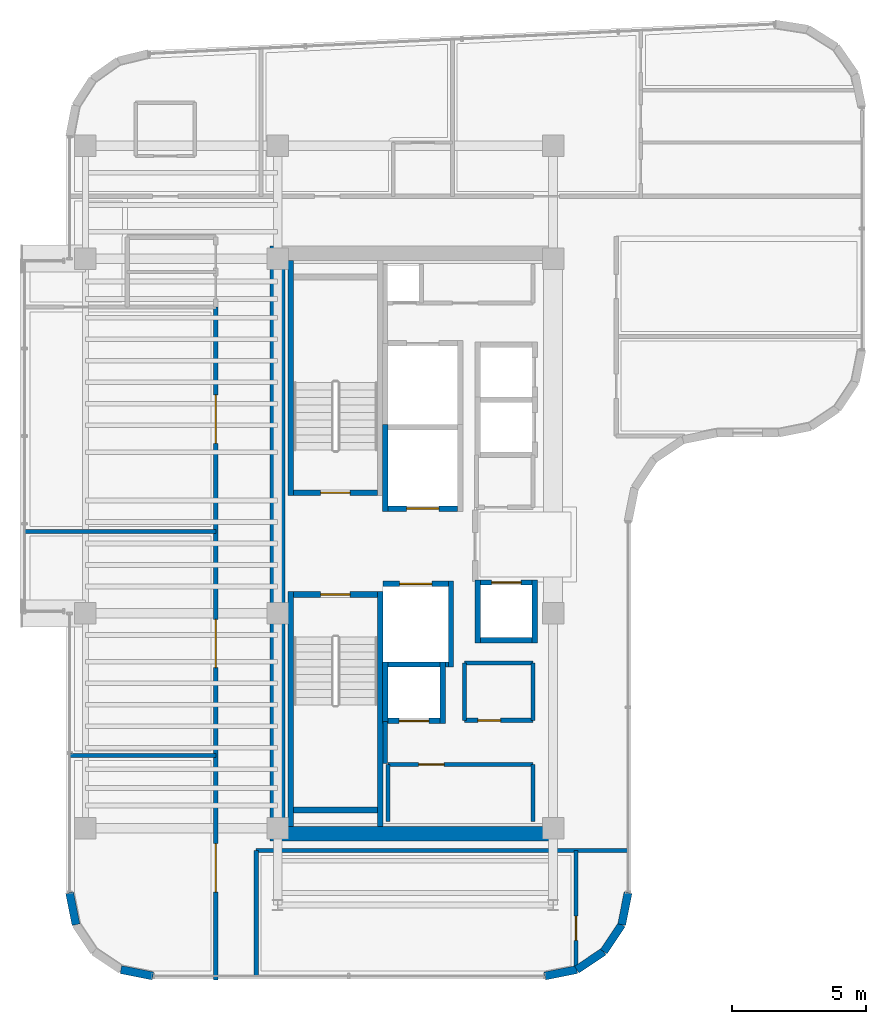
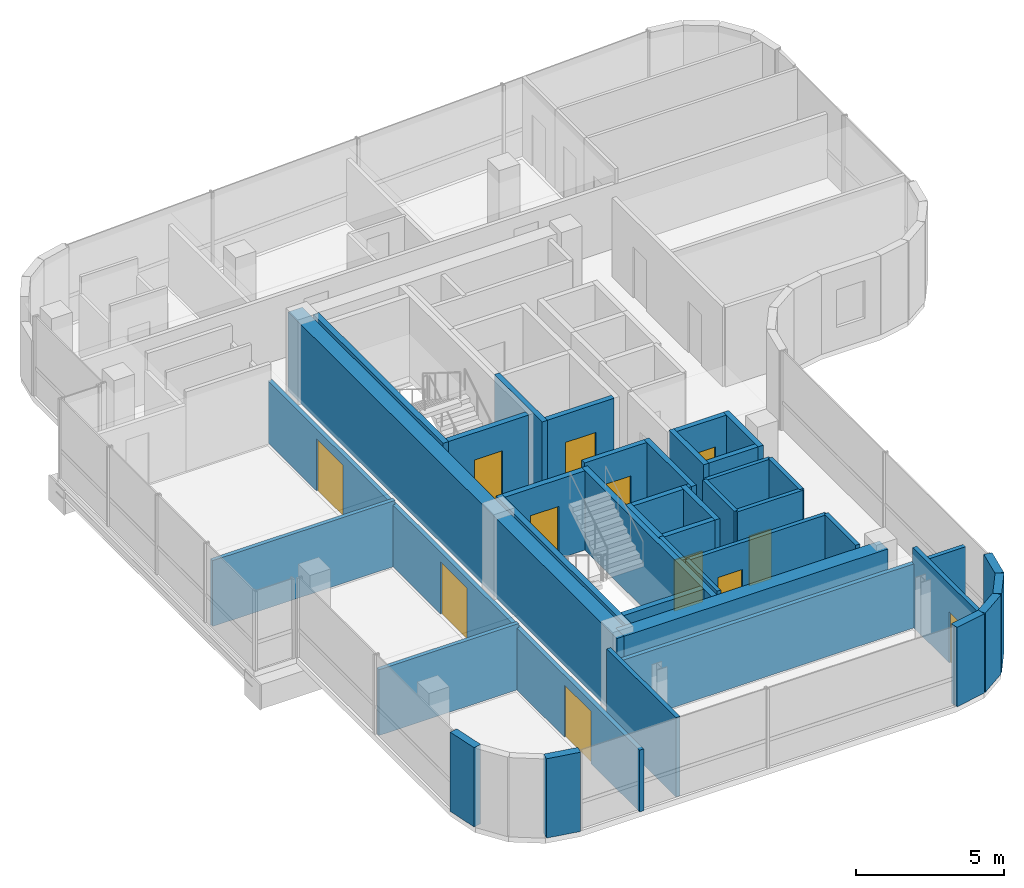
# One storey, part 14 of 18: 40 walls, 12 doors, 12 openings.
"""IFC4 building model written with IfcOpenShell, lengths in metres."""

from ifc_helpers import new_model, si_unit, direction, frame, frame_2d, origin, place, context, subcontext, project, spatial, rectangle, extrude, material, layer, layer_set, type_object, element, fill, save


model = new_model("IFC4")

# Units and contexts
model_context = context("Model", 3, precision=1e-05, world=origin(), true_north=direction((0.0, 1.0)))
body_context = subcontext(model_context, "Body", "Model", "MODEL_VIEW")
ifc_project = project(units=[si_unit("LENGTHUNIT", "METRE"), si_unit("AREAUNIT", "SQUARE_METRE"), si_unit("VOLUMEUNIT", "CUBIC_METRE"), si_unit("PLANEANGLEUNIT", "RADIAN"), si_unit("MASSUNIT", "GRAM", prefix="KILO")], contexts=[model_context])

# Site, building, storey
site_placement = place(None, origin())
site = spatial("IfcSite", under=ifc_project, at=site_placement, CompositionType="ELEMENT")
building_placement = place(site_placement, origin())
building = spatial("IfcBuilding", under=site, at=building_placement, Name="Valdorenza Pilgrim Sanctuary Tower", CompositionType="ELEMENT")
storey_placement = place(building_placement, frame((0.0, 0.0, 247.5)))
storey = spatial("IfcBuildingStorey", under=building, at=storey_placement, Name="L64", CompositionType="ELEMENT", Elevation=247.5)

# Wall
ifc_material_1 = material(Name="Acoustic twin-stud gypsum partition", Category="gypsum")
ifc_layer_1 = layer(ifc_material_1, 0.159912109375, Name="Acoustic twin-stud gypsum partition")
ifc_layer_set_1 = layer_set([ifc_layer_1], Name="Acoustic twin-stud gypsum partition")
wall_type_1 = type_object("IfcWallType", Name="WAL-COR-160", PredefinedType="PARTITIONING", material=ifc_layer_set_1)
wall_1_placement = place(storey_placement, frame((-18.64990234375, -8.179931640625, 0.0), z_axis=(0.0, 0.0, 1.0), x_axis=(0.0, 1.0, 0.0)))
element("IfcWall", 1, at=wall_1_placement, inside=storey, type_object=wall_type_1, Name="L64 Core A South Lift Hall West Wall", PredefinedType="PARTITIONING", context=body_context, shape_type="SweptSolid", body=[
    extrude(rectangle(XDim=1.559814453125, YDim=0.159912109375, at=frame_2d((0.77978515625, 0.0))), origin(), (0.0, 0.0, 1.0), 3.260009765625),
])

# Wall, opening, door
wall_2_placement = place(storey_placement, frame((-18.550048828125, -8.219970703125, 0.0), z_axis=(0.0, 0.0, 1.0), x_axis=(1.0, 0.0, 0.0)))
wall_2 = element("IfcWall", 2, at=wall_2_placement, inside=storey, type_object=wall_type_1, Name="L64 Freed Shaft 1 North Wall", PredefinedType="PARTITIONING", context=body_context, shape_type="SweptSolid", body=[
    extrude(rectangle(XDim=5.400146484375, YDim=0.159912109375, at=frame_2d((2.7001953125, 0.0))), origin(), (0.0, 0.0, 1.0), 3.260009765625),
])
opening_1_placement = place(wall_2_placement, frame((1.14990234375, 0.0, 0.0)))
opening_1 = element("IfcOpeningElement", 3, at=opening_1_placement, cuts=wall_2, Name="Opening DR-UN1", PredefinedType="OPENING", context=body_context, shape_type="SweptSolid", body=[
    extrude(rectangle(XDim=0.949951171875, YDim=2.14990234375, at=frame_2d((0.47509765625, 1.074951171875))), frame((0.0, 0.0947265625, 0.0), z_axis=(0.0, -1.0, 0.0), x_axis=(1.0, 0.0, 0.0)), (0.0, 0.0, 1.0), 0.189697265625),
])
ifc_material_2 = material(Name="Solid-core European oak timber", Category="wood")
door_type_1 = type_object("IfcDoorType", Name="DR-UNIT-950", OperationType="NOTDEFINED", PredefinedType="DOOR", material=ifc_material_2)
door_1_placement = place(opening_1_placement, origin())
door_1 = element("IfcDoor", 4, at=door_1_placement, inside=storey, type_object=door_type_1, Name="L64 Back-of-House Linen Store Door", OperationType="SINGLE_SWING_LEFT", OverallHeight=2.14990234375, OverallWidth=0.949951171875, PredefinedType="DOOR", context=body_context, shape_type="SweptSolid", body=[
    extrude(rectangle(XDim=0.949951171875, YDim=2.14990234375, at=frame_2d((0.47509765625, 1.074951171875))), frame((0.0, 0.02490234375, 0.0), z_axis=(0.0, -1.0, 0.0), x_axis=(1.0, 0.0, 0.0)), (0.0, 0.0, 1.0), 0.050048828125),
])
fill(opening_1, door_1)

# Wall
wall_3_placement = place(storey_placement, frame((-13.14990234375, -10.35009765625, 0.0), z_axis=(0.0, 0.0, 1.0), x_axis=(0.0, 1.0, 0.0)))
element("IfcWall", 5, at=wall_3_placement, inside=storey, type_object=wall_type_1, Name="L64 Freed Shaft 1 East Wall", PredefinedType="PARTITIONING", context=body_context, shape_type="SweptSolid", body=[
    extrude(rectangle(XDim=2.130126953125, YDim=0.159912109375, at=frame_2d((1.06494140625, 0.0))), origin(), (0.0, 0.0, 1.0), 3.260009765625),
])

# Wall, opening, door
wall_4_placement = place(storey_placement, frame((-15.699951171875, -6.580078125, 0.0), z_axis=(0.0, 0.0, 1.0), x_axis=(1.0, 0.0, 0.0)))
wall_4 = element("IfcWall", 6, at=wall_4_placement, inside=storey, type_object=wall_type_1, Name="L64 Freed Shaft 2 South Wall", PredefinedType="PARTITIONING", context=body_context, shape_type="SweptSolid", body=[
    extrude(rectangle(XDim=2.550048828125, YDim=0.159912109375, at=frame_2d((1.27490234375, 0.0))), origin(), (0.0, 0.0, 1.0), 3.260009765625),
])
opening_2_placement = place(wall_4_placement, frame((0.5, 0.0, 0.0)))
opening_2 = element("IfcOpeningElement", 7, at=opening_2_placement, cuts=wall_4, Name="Opening DR-RS1", PredefinedType="OPENING", context=body_context, shape_type="SweptSolid", body=[
    extrude(rectangle(XDim=0.85009765625, YDim=2.050048828125, at=frame_2d((0.425048828125, 1.02490234375))), frame((0.0, 0.0947265625, 0.0), z_axis=(0.0, -1.0, 0.0), x_axis=(1.0, 0.0, 0.0)), (0.0, 0.0, 1.0), 0.189697265625),
])
ifc_material_3 = material(Name="Painted galvanized steel", Category="steel")
door_type_2 = type_object("IfcDoorType", Name="DR-RSR-850", OperationType="NOTDEFINED", PredefinedType="DOOR", material=ifc_material_3)
door_2_placement = place(opening_2_placement, origin())
door_2 = element("IfcDoor", 8, at=door_2_placement, inside=storey, type_object=door_type_2, Name="L64 Guest Tea Pantry Door", OperationType="SINGLE_SWING_RIGHT", OverallHeight=2.050048828125, OverallWidth=0.85009765625, PredefinedType="DOOR", context=body_context, shape_type="SweptSolid", body=[
    extrude(rectangle(XDim=0.85009765625, YDim=2.050048828125, at=frame_2d((0.425048828125, 1.02490234375))), frame((0.0, 0.02490234375, 0.0), z_axis=(0.0, -1.0, 0.0), x_axis=(1.0, 0.0, 0.0)), (0.0, 0.0, 1.0), 0.050048828125),
])
fill(opening_2, door_2)

# Walls
wall_5_placement = place(storey_placement, frame((-13.14990234375, -6.580078125, 0.0), z_axis=(0.0, 0.0, 1.0), x_axis=(0.0, 1.0, 0.0)))
element("IfcWall", 9, at=wall_5_placement, inside=storey, type_object=wall_type_1, Name="L64 Freed Shaft 2 East Wall", PredefinedType="PARTITIONING", context=body_context, shape_type="SweptSolid", body=[
    extrude(rectangle(XDim=2.130126953125, YDim=0.159912109375, at=frame_2d((1.06494140625, 0.0))), origin(), (0.0, 0.0, 1.0), 3.260009765625),
])
wall_6_placement = place(storey_placement, frame((-23.449951171875, -11.419921875, 0.0), z_axis=(0.0, 0.0, 1.0), x_axis=(1.0, 0.0, 0.0)))
element("IfcWall", 10, at=wall_6_placement, inside=storey, type_object=wall_type_1, Name="L64 South-East Pocket North Wall", PredefinedType="PARTITIONING", context=body_context, shape_type="SweptSolid", body=[
    extrude(rectangle(XDim=13.83984375, YDim=0.159912109375, at=frame_2d((6.919921875, 0.0))), origin(), (0.0, 0.0, 1.0), 2.634033203125),
])
wall_7_placement = place(storey_placement, frame((-23.449951171875, -16.090087890625, 0.0), z_axis=(0.0, 0.0, 1.0), x_axis=(0.0, 1.0, 0.0)))
element("IfcWall", 11, at=wall_7_placement, inside=storey, type_object=wall_type_1, Name="L64 South-East Pocket West Wall", PredefinedType="PARTITIONING", context=body_context, shape_type="SweptSolid", body=[
    extrude(rectangle(XDim=4.670166015625, YDim=0.159912109375, at=frame_2d((2.3349609375, 0.0))), origin(), (0.0, 0.0, 1.0), 3.260009765625),
])

# Wall, openings, doors
wall_8_placement = place(storey_placement, frame((-24.949951171875, -16.239990234375, 0.0), z_axis=(0.0, 0.0, 1.0), x_axis=(0.0, 1.0, 0.0)))
wall_8 = element("IfcWall", 12, at=wall_8_placement, inside=storey, type_object=wall_type_1, Name="L64 West Wing Corridor Wall", PredefinedType="PARTITIONING", context=body_context, shape_type="SweptSolid", body=[
    extrude(rectangle(XDim=25.0400390625, YDim=0.159912109375, at=frame_2d((12.52001953125, 0.0))), origin(), (0.0, 0.0, 1.0), 2.5439453125),
])
opening_3_placement = place(wall_8_placement, frame((3.27294921875, 0.0, 0.0)))
opening_3 = element("IfcOpeningElement", 13, at=opening_3_placement, cuts=wall_8, Name="Opening DR-HL1", PredefinedType="OPENING", context=body_context, shape_type="SweptSolid", body=[
    extrude(rectangle(XDim=1.800048828125, YDim=2.14990234375, at=frame_2d((0.89990234375, 1.074951171875))), frame((0.0, 0.0947265625, 0.0), z_axis=(0.0, -1.0, 0.0), x_axis=(1.0, 0.0, 0.0)), (0.0, 0.0, 1.0), 0.189697265625),
])
opening_4_placement = place(wall_8_placement, frame((11.6201171875, 0.0, 0.0)))
opening_4 = element("IfcOpeningElement", 14, at=opening_4_placement, cuts=wall_8, Name="Opening DR-HL1", PredefinedType="OPENING", context=body_context, shape_type="SweptSolid", body=[
    extrude(rectangle(XDim=1.800048828125, YDim=2.14990234375, at=frame_2d((0.89990234375, 1.074951171875))), frame((0.0, 0.0947265625, 0.0), z_axis=(0.0, -1.0, 0.0), x_axis=(1.0, 0.0, 0.0)), (0.0, 0.0, 1.0), 0.189697265625),
])
opening_5_placement = place(wall_8_placement, frame((19.967041015625, 0.0, 0.0)))
opening_5 = element("IfcOpeningElement", 15, at=opening_5_placement, cuts=wall_8, Name="Opening DR-HL1", PredefinedType="OPENING", context=body_context, shape_type="SweptSolid", body=[
    extrude(rectangle(XDim=1.800048828125, YDim=2.14990234375, at=frame_2d((0.89990234375, 1.074951171875))), frame((0.0, 0.0947265625, 0.0), z_axis=(0.0, -1.0, 0.0), x_axis=(1.0, 0.0, 0.0)), (0.0, 0.0, 1.0), 0.189697265625),
])
ifc_material_4 = material(Name="Acoustic oak and vision-glass double door", Category="glass")
door_type_3 = type_object("IfcDoorType", Name="DR-HALL-1800", OperationType="NOTDEFINED", PredefinedType="DOOR", material=ifc_material_4)
door_3_placement = place(opening_3_placement, frame((1.800048828125, 0.0, 0.0), z_axis=(0.0, 0.0, 1.0), x_axis=(-1.0, 0.0, 0.0)))
door_3 = element("IfcDoor", 16, at=door_3_placement, inside=storey, type_object=door_type_3, Name="L64 Theological Seminar Classroom L64-W1 Door", OperationType="DOUBLE_DOOR_SINGLE_SWING", OverallHeight=2.14990234375, OverallWidth=1.800048828125, PredefinedType="DOOR", context=body_context, shape_type="SweptSolid", body=[
    extrude(rectangle(XDim=1.800048828125, YDim=2.14990234375, at=frame_2d((0.89990234375, 1.074951171875))), frame((0.0, 0.02490234375, 0.0), z_axis=(0.0, -1.0, 0.0), x_axis=(1.0, 0.0, 0.0)), (0.0, 0.0, 1.0), 0.050048828125),
])
fill(opening_3, door_3)
door_4_placement = place(opening_4_placement, origin())
door_4 = element("IfcDoor", 17, at=door_4_placement, inside=storey, type_object=door_type_3, Name="L64 Theological Seminar Classroom L64-W2 Door", OperationType="DOUBLE_DOOR_SINGLE_SWING", OverallHeight=2.14990234375, OverallWidth=1.800048828125, PredefinedType="DOOR", context=body_context, shape_type="SweptSolid", body=[
    extrude(rectangle(XDim=1.800048828125, YDim=2.14990234375, at=frame_2d((0.89990234375, 1.074951171875))), frame((0.0, 0.02490234375, 0.0), z_axis=(0.0, -1.0, 0.0), x_axis=(1.0, 0.0, 0.0)), (0.0, 0.0, 1.0), 0.050048828125),
])
fill(opening_4, door_4)
door_5_placement = place(opening_5_placement, frame((1.800048828125, 0.0, 0.0), z_axis=(0.0, 0.0, 1.0), x_axis=(-1.0, 0.0, 0.0)))
door_5 = element("IfcDoor", 18, at=door_5_placement, inside=storey, type_object=door_type_3, Name="L64 Theological Seminar Classroom L64-W3 Door", OperationType="DOUBLE_DOOR_SINGLE_SWING", OverallHeight=2.14990234375, OverallWidth=1.800048828125, PredefinedType="DOOR", context=body_context, shape_type="SweptSolid", body=[
    extrude(rectangle(XDim=1.800048828125, YDim=2.14990234375, at=frame_2d((0.89990234375, 1.074951171875))), frame((0.0, 0.02490234375, 0.0), z_axis=(0.0, -1.0, 0.0), x_axis=(1.0, 0.0, 0.0)), (0.0, 0.0, 1.0), 0.050048828125),
])
fill(opening_5, door_5)

# Wall, opening, door
wall_9_placement = place(storey_placement, frame((-11.550048828125, -15.7236328125, 0.0), z_axis=(0.0, 0.0, 1.0), x_axis=(0.0, 1.0, 0.0)))
wall_9 = element("IfcWall", 19, at=wall_9_placement, inside=storey, type_object=wall_type_1, Name="L64 South-East Concourse Wall", PredefinedType="PARTITIONING", context=body_context, shape_type="SweptSolid", body=[
    extrude(rectangle(XDim=4.3037109375, YDim=0.159912109375, at=frame_2d((2.15185546875, 0.0))), origin(), (0.0, 0.0, 1.0), 3.260009765625),
])
opening_6_placement = place(wall_9_placement, frame((0.9599609375, 0.0, 0.0)))
opening_6 = element("IfcOpeningElement", 20, at=opening_6_placement, cuts=wall_9, Name="Opening DR-RM1", PredefinedType="OPENING", context=body_context, shape_type="SweptSolid", body=[
    extrude(rectangle(XDim=0.89990234375, YDim=2.10009765625, at=frame_2d((0.449951171875, 1.050048828125))), frame((0.0, 0.0947265625, 0.0), z_axis=(0.0, -1.0, 0.0), x_axis=(1.0, 0.0, 0.0)), (0.0, 0.0, 1.0), 0.189697265625),
])
door_type_4 = type_object("IfcDoorType", Name="DR-ROOM-900", OperationType="NOTDEFINED", PredefinedType="DOOR", material=ifc_material_2)
door_6_placement = place(opening_6_placement, origin())
door_6 = element("IfcDoor", 21, at=door_6_placement, inside=storey, type_object=door_type_4, Name="L64 South Contemplation Lounge L64 Door", OperationType="SINGLE_SWING_RIGHT", OverallHeight=2.10009765625, OverallWidth=0.89990234375, PredefinedType="DOOR", context=body_context, shape_type="SweptSolid", body=[
    extrude(rectangle(XDim=0.89990234375, YDim=2.10009765625, at=frame_2d((0.449951171875, 1.050048828125))), frame((0.0, 0.02490234375, 0.0), z_axis=(0.0, -1.0, 0.0), x_axis=(1.0, 0.0, 0.0)), (0.0, 0.0, 1.0), 0.050048828125),
])
fill(opening_6, door_6)

# Walls
ifc_material_5 = material(Name="Concrete C50/60", Category="concrete")
ifc_layer_2 = layer(ifc_material_5, 0.550048828125, Name="Concrete C50/60")
ifc_layer_set_2 = layer_set([ifc_layer_2], Name="Concrete C50/60")
wall_type_2 = type_object("IfcWallType", Name="WAL-COR-550", PredefinedType="SHEAR", material=ifc_layer_set_2)
wall_10_placement = place(storey_placement, frame((-22.64990234375, -11.074951171875, 0.0), z_axis=(0.0, 0.0, 1.0), x_axis=(0.0, 1.0, 0.0)))
element("IfcWall", 22, at=wall_10_placement, inside=storey, type_object=wall_type_2, Name="L64 Split Core A Shear Wall W", PredefinedType="SHEAR", context=body_context, shape_type="SweptSolid", body=[
    extrude(rectangle(XDim=22.14990234375, YDim=0.550048828125, at=frame_2d((11.074951171875, 0.0))), origin(), (0.0, 0.0, 1.0), 3.260009765625),
])
wall_11_placement = place(storey_placement, frame((-22.64990234375, -10.800048828125, 0.0), z_axis=(0.0, 0.0, 1.0), x_axis=(1.0, 0.0, 0.0)))
element("IfcWall", 23, at=wall_11_placement, inside=storey, type_object=wall_type_2, Name="L64 Split Core A Shear Wall S", PredefinedType="SHEAR", context=body_context, shape_type="SweptSolid", body=[
    extrude(rectangle(XDim=10.25, YDim=0.550048828125, at=frame_2d((5.125, 0.0))), origin(), (0.0, 0.0, 1.0), 3.260009765625),
])
ifc_material_6 = material(Name="Honed travertine limestone", Category="masonry")
ifc_layer_3 = layer(ifc_material_6, 0.300048828125, Name="Honed travertine limestone")
ifc_layer_set_3 = layer_set([ifc_layer_3], Name="Honed travertine limestone")
wall_type_3 = type_object("IfcWallType", Name="WAL-EXT-300", PredefinedType="SOLIDWALL", material=ifc_layer_set_3)
wall_12_placement = place(storey_placement, frame((-9.610107421875, -12.9892578125, 0.0), z_axis=(0.0, 0.0, 1.0), x_axis=(-0.194996050505, -0.980804027463, 0.0)))
element("IfcWall", 24, at=wall_12_placement, inside=storey, type_object=wall_type_3, Name="L64 Rounded Wind-Corner Stone Pier 22", PredefinedType="SOLIDWALL", context=body_context, shape_type="SweptSolid", body=[
    extrude(rectangle(XDim=1.2158203125, YDim=0.300048828125, at=frame_2d((0.60791015625, 0.0))), origin(), (0.0, 0.0, 1.0), 3.260009765625),
])
for number, where, z_axis, x_axis, name in (
    (25, (-9.84716796875, -14.181640625, 0.0), (0.0, 0.0, 1.0), (-0.555635100982, -0.831426265255, 0.0), "L64 Rounded Wind-Corner Stone Pier 23"),
    (26, (-10.5166015625, -15.183349609375, 0.0), (0.0, 0.0, 1.0), (-0.831426265255, -0.555635100982, 0.0), "L64 Rounded Wind-Corner Stone Pier 24"),
):
    element("IfcWall", number, at=place(storey_placement, frame(where, z_axis=z_axis, x_axis=x_axis)), inside=storey, type_object=wall_type_3, Name=name, PredefinedType="SOLIDWALL", context=body_context, shape_type="SweptSolid", body=[
        extrude(rectangle(XDim=1.204833984375, YDim=0.300048828125, at=frame_2d((0.6025390625, 0.0))), origin(), (0.0, 0.0, 1.0), 3.260009765625),
    ])
for number, where, z_axis, x_axis, name in (
    (27, (-11.518310546875, -15.852783203125, 0.0), (0.0, 0.0, 1.0), (-0.980765602568, -0.195189223115, 0.0), "L64 Rounded Wind-Corner Stone Pier 25"),
    (28, (-27.289306640625, -16.090087890625, 0.0), (0.0, 0.0, 1.0), (-0.980765602568, 0.195189223115, 0.0), "L64 Rounded Wind-Corner Stone Pier 27"),
    (29, (-30.15283203125, -14.181640625, 0.0), (0.0, 0.0, 1.0), (-0.194996050505, 0.980804027463, 0.0), "L64 Rounded Wind-Corner Stone Pier 30"),
):
    element("IfcWall", number, at=place(storey_placement, frame(where, z_axis=z_axis, x_axis=x_axis)), inside=storey, type_object=wall_type_3, Name=name, PredefinedType="SOLIDWALL", context=body_context, shape_type="SweptSolid", body=[
        extrude(rectangle(XDim=1.2158203125, YDim=0.300048828125, at=frame_2d((0.60791015625, 0.0))), origin(), (0.0, 0.0, 1.0), 3.260009765625),
    ])
ifc_material_7 = material(Name="Autoclaved aerated concrete blockwork", Category="masonry")
ifc_layer_4 = layer(ifc_material_7, 0.199951171875, Name="Autoclaved aerated concrete blockwork")
ifc_layer_set_4 = layer_set([ifc_layer_4], Name="Autoclaved aerated concrete blockwork")
wall_type_4 = type_object("IfcWallType", Name="WAL-SHF-200", PredefinedType="MOVABLE", material=ifc_layer_set_4)
wall_13_placement = place(storey_placement, frame((-18.64990234375, 1.199951171875, 0.0), z_axis=(0.0, 0.0, 1.0), x_axis=(0.0, 1.0, 0.0)))
element("IfcWall", 30, at=wall_13_placement, inside=storey, type_object=wall_type_4, Name="L64 Lift FFL-01 Hoistway Wall West", PredefinedType="MOVABLE", context=body_context, shape_type="SweptSolid", body=[
    extrude(rectangle(XDim=3.22509765625, YDim=0.199951171875, at=frame_2d((1.612548828125, 0.0))), origin(), (0.0, 0.0, 1.0), 3.260009765625),
])

# Wall, opening, door
wall_14_placement = place(storey_placement, frame((-18.550048828125, 1.300048828125, 0.0), z_axis=(0.0, 0.0, 1.0), x_axis=(1.0, 0.0, 0.0)))
wall_14 = element("IfcWall", 31, at=wall_14_placement, inside=storey, type_object=wall_type_4, Name="L64 Lift FFL-01 Hoistway Wall South", PredefinedType="MOVABLE", context=body_context, shape_type="SweptSolid", body=[
    extrude(rectangle(XDim=2.60009765625, YDim=0.199951171875, at=frame_2d((1.300048828125, 0.0))), origin(), (0.0, 0.0, 1.0), 3.260009765625),
])
opening_7_placement = place(wall_14_placement, frame((0.699951171875, 0.0, 0.0)))
opening_7 = element("IfcOpeningElement", 32, at=opening_7_placement, cuts=wall_14, Name="Opening LD-02", PredefinedType="OPENING", context=body_context, shape_type="SweptSolid", body=[
    extrude(rectangle(XDim=1.199951171875, YDim=2.10009765625, at=frame_2d((0.60009765625, 1.050048828125))), frame((0.0, 0.11474609375, 0.0), z_axis=(0.0, -1.0, 0.0), x_axis=(1.0, 0.0, 0.0)), (0.0, 0.0, 1.0), 0.229736328125),
])
ifc_material_8 = material(Name="Brushed stainless steel Grade 316", Category="steel")
door_type_5 = type_object("IfcDoorType", Name="DR-LFT-1200", OperationType="DOUBLE_DOOR_SLIDING", PredefinedType="DOOR", material=ifc_material_8)
door_7_placement = place(opening_7_placement, origin())
door_7 = element("IfcDoor", 33, at=door_7_placement, inside=storey, type_object=door_type_5, Name="L64 Lift FFL-01 Sliding Landing Door", OperationType="DOUBLE_DOOR_SLIDING", OverallHeight=2.10009765625, OverallWidth=1.199951171875, PredefinedType="DOOR", context=body_context, shape_type="SweptSolid", body=[
    extrude(rectangle(XDim=1.199951171875, YDim=2.10009765625, at=frame_2d((0.60009765625, 1.050048828125))), frame((0.0, 0.02490234375, 0.0), z_axis=(0.0, -1.0, 0.0), x_axis=(1.0, 0.0, 0.0)), (0.0, 0.0, 1.0), 0.050048828125),
])
fill(opening_7, door_7)

# Walls
wall_15_placement = place(storey_placement, frame((-16.199951171875, -4.60009765625, 0.0), z_axis=(0.0, 0.0, 1.0), x_axis=(0.0, 1.0, 0.0)))
element("IfcWall", 34, at=wall_15_placement, inside=storey, type_object=wall_type_4, Name="L64 Lift FFL-02 Hoistway Wall East", PredefinedType="MOVABLE", context=body_context, shape_type="SweptSolid", body=[
    extrude(rectangle(XDim=3.2001953125, YDim=0.199951171875, at=frame_2d((1.60009765625, 0.0))), origin(), (0.0, 0.0, 1.0), 3.260009765625),
])
wall_16_placement = place(storey_placement, frame((-18.719970703125, -4.5, 0.0), z_axis=(0.0, 0.0, 1.0), x_axis=(1.0, 0.0, 0.0)))
element("IfcWall", 35, at=wall_16_placement, inside=storey, type_object=wall_type_4, Name="L64 Lift FFL-02 Hoistway Wall South", PredefinedType="MOVABLE", context=body_context, shape_type="SweptSolid", body=[
    extrude(rectangle(XDim=2.419921875, YDim=0.199951171875, at=frame_2d((1.2099609375, 0.0))), origin(), (0.0, 0.0, 1.0), 3.260009765625),
])

# Wall, opening, door
wall_17_placement = place(storey_placement, frame((-18.719970703125, -1.5, 0.0), z_axis=(0.0, 0.0, 1.0), x_axis=(1.0, 0.0, 0.0)))
wall_17 = element("IfcWall", 36, at=wall_17_placement, inside=storey, type_object=wall_type_4, Name="L64 Lift FFL-02 Hoistway Wall North", PredefinedType="MOVABLE", context=body_context, shape_type="SweptSolid", body=[
    extrude(rectangle(XDim=2.419921875, YDim=0.199951171875, at=frame_2d((1.2099609375, 0.0))), origin(), (0.0, 0.0, 1.0), 3.260009765625),
])
opening_8_placement = place(wall_17_placement, frame((0.610107421875, 0.0, 0.0)))
opening_8 = element("IfcOpeningElement", 37, at=opening_8_placement, cuts=wall_17, Name="Opening LD-02", PredefinedType="OPENING", context=body_context, shape_type="SweptSolid", body=[
    extrude(rectangle(XDim=1.199951171875, YDim=2.10009765625, at=frame_2d((0.60009765625, 1.050048828125))), frame((0.0, 0.11474609375, 0.0), z_axis=(0.0, -1.0, 0.0), x_axis=(1.0, 0.0, 0.0)), (0.0, 0.0, 1.0), 0.229736328125),
])
door_8_placement = place(opening_8_placement, origin())
door_8 = element("IfcDoor", 38, at=door_8_placement, inside=storey, type_object=door_type_5, Name="L64 Lift FFL-02 Sliding Landing Door", OperationType="DOUBLE_DOOR_SLIDING", OverallHeight=2.10009765625, OverallWidth=1.199951171875, PredefinedType="DOOR", context=body_context, shape_type="SweptSolid", body=[
    extrude(rectangle(XDim=1.199951171875, YDim=2.10009765625, at=frame_2d((0.60009765625, 1.050048828125))), frame((0.0, 0.02490234375, 0.0), z_axis=(0.0, -1.0, 0.0), x_axis=(1.0, 0.0, 0.0)), (0.0, 0.0, 1.0), 0.050048828125),
])
fill(opening_8, door_8)

# Walls
for number, where, z_axis, x_axis, name in (
    (39, (-18.64990234375, -6.699951171875, 0.0), (0.0, 0.0, 1.0), (0.0, 1.0, 0.0), "L64 Lift PL-11 Hoistway Wall West"),
    (40, (-16.5, -6.699951171875, 0.0), (0.0, 0.0, 1.0), (0.0, 1.0, 0.0), "L64 Lift PL-11 Hoistway Wall East"),
):
    element("IfcWall", number, at=place(storey_placement, frame(where, z_axis=z_axis, x_axis=x_axis)), inside=storey, type_object=wall_type_4, Name=name, PredefinedType="MOVABLE", context=body_context, shape_type="SweptSolid", body=[
        extrude(rectangle(XDim=2.300048828125, YDim=0.199951171875, at=frame_2d((1.14990234375, 0.0))), origin(), (0.0, 0.0, 1.0), 3.260009765625),
    ])

# Wall, opening, door
wall_18_placement = place(storey_placement, frame((-18.550048828125, -6.60009765625, 0.0), z_axis=(0.0, 0.0, 1.0), x_axis=(1.0, 0.0, 0.0)))
wall_18 = element("IfcWall", 41, at=wall_18_placement, inside=storey, type_object=wall_type_4, Name="L64 Lift PL-11 Hoistway Wall South", PredefinedType="MOVABLE", context=body_context, shape_type="SweptSolid", body=[
    extrude(rectangle(XDim=1.949951171875, YDim=0.199951171875, at=frame_2d((0.97509765625, 0.0))), origin(), (0.0, 0.0, 1.0), 3.260009765625),
])
opening_9_placement = place(wall_18_placement, frame((0.425048828125, 0.0, 0.0)))
opening_9 = element("IfcOpeningElement", 42, at=opening_9_placement, cuts=wall_18, Name="Opening LD-01", PredefinedType="OPENING", context=body_context, shape_type="SweptSolid", body=[
    extrude(rectangle(XDim=1.10009765625, YDim=2.10009765625, at=frame_2d((0.550048828125, 1.050048828125))), frame((0.0, 0.11474609375, 0.0), z_axis=(0.0, -1.0, 0.0), x_axis=(1.0, 0.0, 0.0)), (0.0, 0.0, 1.0), 0.229736328125),
])
door_type_6 = type_object("IfcDoorType", Name="DR-LFT-1100", OperationType="DOUBLE_DOOR_SLIDING", PredefinedType="DOOR", material=ifc_material_8)
door_9_placement = place(opening_9_placement, origin())
door_9 = element("IfcDoor", 43, at=door_9_placement, inside=storey, type_object=door_type_6, Name="L64 Lift PL-11 Sliding Landing Door", OperationType="DOUBLE_DOOR_SLIDING", OverallHeight=2.10009765625, OverallWidth=1.10009765625, PredefinedType="DOOR", context=body_context, shape_type="SweptSolid", body=[
    extrude(rectangle(XDim=1.10009765625, YDim=2.10009765625, at=frame_2d((0.550048828125, 1.050048828125))), frame((0.0, 0.02490234375, 0.0), z_axis=(0.0, -1.0, 0.0), x_axis=(1.0, 0.0, 0.0)), (0.0, 0.0, 1.0), 0.050048828125),
])
fill(opening_9, door_9)

# Walls
for number, where, z_axis, x_axis, name in (
    (44, (-15.199951171875, -3.699951171875, 0.0), (0.0, 0.0, 1.0), (0.0, 1.0, 0.0), "L64 Lift PL-12 Hoistway Wall West"),
    (45, (-13.080078125, -3.699951171875, 0.0), (0.0, 0.0, 1.0), (0.0, 1.0, 0.0), "L64 Lift PL-12 Hoistway Wall East"),
):
    element("IfcWall", number, at=place(storey_placement, frame(where, z_axis=z_axis, x_axis=x_axis)), inside=storey, type_object=wall_type_4, Name=name, PredefinedType="MOVABLE", context=body_context, shape_type="SweptSolid", body=[
        extrude(rectangle(XDim=2.349853515625, YDim=0.199951171875, at=frame_2d((1.1748046875, 0.0))), origin(), (0.0, 0.0, 1.0), 3.260009765625),
    ])
wall_19_placement = place(storey_placement, frame((-15.10009765625, -3.60009765625, 0.0), z_axis=(0.0, 0.0, 1.0), x_axis=(1.0, 0.0, 0.0)))
element("IfcWall", 46, at=wall_19_placement, inside=storey, type_object=wall_type_4, Name="L64 Lift PL-12 Hoistway Wall South", PredefinedType="MOVABLE", context=body_context, shape_type="SweptSolid", body=[
    extrude(rectangle(XDim=1.920166015625, YDim=0.199951171875, at=frame_2d((0.9599609375, 0.0))), origin(), (0.0, 0.0, 1.0), 3.260009765625),
])

# Wall, opening, door
wall_20_placement = place(storey_placement, frame((-15.10009765625, -1.449951171875, 0.0), z_axis=(0.0, 0.0, 1.0), x_axis=(1.0, 0.0, 0.0)))
wall_20 = element("IfcWall", 47, at=wall_20_placement, inside=storey, type_object=wall_type_4, Name="L64 Lift PL-12 Hoistway Wall North", PredefinedType="MOVABLE", context=body_context, shape_type="SweptSolid", body=[
    extrude(rectangle(XDim=1.920166015625, YDim=0.199951171875, at=frame_2d((0.9599609375, 0.0))), origin(), (0.0, 0.0, 1.0), 3.260009765625),
])
opening_10_placement = place(wall_20_placement, frame((0.409912109375, 0.0, 0.0)))
opening_10 = element("IfcOpeningElement", 48, at=opening_10_placement, cuts=wall_20, Name="Opening LD-01", PredefinedType="OPENING", context=body_context, shape_type="SweptSolid", body=[
    extrude(rectangle(XDim=1.10009765625, YDim=2.10009765625, at=frame_2d((0.550048828125, 1.050048828125))), frame((0.0, 0.11474609375, 0.0), z_axis=(0.0, -1.0, 0.0), x_axis=(1.0, 0.0, 0.0)), (0.0, 0.0, 1.0), 0.229736328125),
])
door_10_placement = place(opening_10_placement, origin())
door_10 = element("IfcDoor", 49, at=door_10_placement, inside=storey, type_object=door_type_6, Name="L64 Lift PL-12 Sliding Landing Door", OperationType="DOUBLE_DOOR_SLIDING", OverallHeight=2.10009765625, OverallWidth=1.10009765625, PredefinedType="DOOR", context=body_context, shape_type="SweptSolid", body=[
    extrude(rectangle(XDim=1.10009765625, YDim=2.10009765625, at=frame_2d((0.550048828125, 1.050048828125))), frame((0.0, 0.02490234375, 0.0), z_axis=(0.0, -1.0, 0.0), x_axis=(1.0, 0.0, 0.0)), (0.0, 0.0, 1.0), 0.050048828125),
])
fill(opening_10, door_10)

# Wall
ifc_material_9 = material(Name="Concrete C40/50", Category="concrete")
ifc_layer_5 = layer(ifc_material_9, 0.219970703125, Name="Concrete C40/50")
ifc_layer_set_5 = layer_set([ifc_layer_5], Name="Concrete C40/50")
wall_type_5 = type_object("IfcWallType", Name="WAL-STR-SHF-220", PredefinedType="SHEAR", material=ifc_layer_set_5)
wall_21_placement = place(storey_placement, frame((-22.159912109375, 1.780029296875, 0.0), z_axis=(0.0, 0.0, 1.0), x_axis=(0.0, 1.0, 0.0)))
element("IfcWall", 50, at=wall_21_placement, inside=storey, type_object=wall_type_5, Name="L64 ST-A1 Structural Stairwell Wall W", PredefinedType="SHEAR", context=body_context, shape_type="SweptSolid", body=[
    extrude(rectangle(XDim=8.744873046875, YDim=0.219970703125, at=frame_2d((4.37255859375, 0.0))), origin(), (0.0, 0.0, 1.0), 3.260009765625),
])

# Wall, opening, door
wall_22_placement = place(storey_placement, frame((-22.050048828125, 1.889892578125, 0.0), z_axis=(0.0, 0.0, 1.0), x_axis=(1.0, 0.0, 0.0)))
wall_22 = element("IfcWall", 51, at=wall_22_placement, inside=storey, type_object=wall_type_5, Name="L64 ST-A1 Structural Stairwell Wall S", PredefinedType="SHEAR", context=body_context, shape_type="SweptSolid", body=[
    extrude(rectangle(XDim=3.110107421875, YDim=0.219970703125, at=frame_2d((1.55517578125, 0.0))), origin(), (0.0, 0.0, 1.0), 3.260009765625),
])
opening_11_placement = place(wall_22_placement, frame((1.0, 0.0, 0.0)))
opening_11 = element("IfcOpeningElement", 52, at=opening_11_placement, cuts=wall_22, Name="Opening DR-ST1", PredefinedType="OPENING", context=body_context, shape_type="SweptSolid", body=[
    extrude(rectangle(XDim=1.10009765625, YDim=2.14990234375, at=frame_2d((0.550048828125, 1.074951171875))), frame((0.0, 0.125, 0.0), z_axis=(0.0, -1.0, 0.0), x_axis=(1.0, 0.0, 0.0)), (0.0, 0.0, 1.0), 0.249755859375),
])
door_type_7 = type_object("IfcDoorType", Name="DR-STAIR-1100", OperationType="NOTDEFINED", PredefinedType="DOOR", material=ifc_material_3)
door_11_placement = place(opening_11_placement, frame((1.10009765625, 0.0, 0.0), z_axis=(0.0, 0.0, 1.0), x_axis=(-1.0, 0.0, 0.0)))
door_11 = element("IfcDoor", 53, at=door_11_placement, inside=storey, type_object=door_type_7, Name="L64 Exit Stair ST-A1 Door", OperationType="SINGLE_SWING_LEFT", OverallHeight=2.14990234375, OverallWidth=1.10009765625, PredefinedType="DOOR", context=body_context, shape_type="SweptSolid", body=[
    extrude(rectangle(XDim=1.10009765625, YDim=2.14990234375, at=frame_2d((0.550048828125, 1.074951171875))), frame((0.0, 0.02490234375, 0.0), z_axis=(0.0, -1.0, 0.0), x_axis=(1.0, 0.0, 0.0)), (0.0, 0.0, 1.0), 0.050048828125),
])
fill(opening_11, door_11)

# Walls
for number, where, z_axis, x_axis, name in (
    (54, (-22.159912109375, -10.52490234375, 0.0), (0.0, 0.0, 1.0), (0.0, 1.0, 0.0), "L64 ST-A2 Structural Stairwell Wall W"),
    (55, (-18.830078125, -10.52490234375, 0.0), (0.0, 0.0, 1.0), (0.0, 1.0, 0.0), "L64 ST-A2 Structural Stairwell Wall E"),
):
    element("IfcWall", number, at=place(storey_placement, frame(where, z_axis=z_axis, x_axis=x_axis)), inside=storey, type_object=wall_type_5, Name=name, PredefinedType="SHEAR", context=body_context, shape_type="SweptSolid", body=[
        extrude(rectangle(XDim=8.744873046875, YDim=0.219970703125, at=frame_2d((4.37255859375, 0.0))), origin(), (0.0, 0.0, 1.0), 3.260009765625),
    ])
wall_23_placement = place(storey_placement, frame((-22.050048828125, -9.909912109375, 0.0), z_axis=(0.0, 0.0, 1.0), x_axis=(1.0, 0.0, 0.0)))
element("IfcWall", 56, at=wall_23_placement, inside=storey, type_object=wall_type_5, Name="L64 ST-A2 Structural Stairwell Wall S", PredefinedType="SHEAR", context=body_context, shape_type="SweptSolid", body=[
    extrude(rectangle(XDim=3.110107421875, YDim=0.219970703125, at=frame_2d((1.55517578125, 0.0))), origin(), (0.0, 0.0, 1.0), 3.260009765625),
])

# Wall, opening, door
wall_24_placement = place(storey_placement, frame((-22.050048828125, -1.889892578125, 0.0), z_axis=(0.0, 0.0, 1.0), x_axis=(1.0, 0.0, 0.0)))
wall_24 = element("IfcWall", 57, at=wall_24_placement, inside=storey, type_object=wall_type_5, Name="L64 ST-A2 Structural Stairwell Wall N", PredefinedType="SHEAR", context=body_context, shape_type="SweptSolid", body=[
    extrude(rectangle(XDim=3.110107421875, YDim=0.219970703125, at=frame_2d((1.55517578125, 0.0))), origin(), (0.0, 0.0, 1.0), 3.260009765625),
])
opening_12_placement = place(wall_24_placement, frame((1.0, 0.0, 0.0)))
opening_12 = element("IfcOpeningElement", 58, at=opening_12_placement, cuts=wall_24, Name="Opening DR-ST1", PredefinedType="OPENING", context=body_context, shape_type="SweptSolid", body=[
    extrude(rectangle(XDim=1.10009765625, YDim=2.14990234375, at=frame_2d((0.550048828125, 1.074951171875))), frame((0.0, 0.125, 0.0), z_axis=(0.0, -1.0, 0.0), x_axis=(1.0, 0.0, 0.0)), (0.0, 0.0, 1.0), 0.249755859375),
])
door_12_placement = place(opening_12_placement, origin())
door_12 = element("IfcDoor", 59, at=door_12_placement, inside=storey, type_object=door_type_7, Name="L64 Exit Stair ST-A2 Door", OperationType="SINGLE_SWING_RIGHT", OverallHeight=2.14990234375, OverallWidth=1.10009765625, PredefinedType="DOOR", context=body_context, shape_type="SweptSolid", body=[
    extrude(rectangle(XDim=1.10009765625, YDim=2.14990234375, at=frame_2d((0.550048828125, 1.074951171875))), frame((0.0, 0.02490234375, 0.0), z_axis=(0.0, -1.0, 0.0), x_axis=(1.0, 0.0, 0.0)), (0.0, 0.0, 1.0), 0.050048828125),
])
fill(opening_12, door_12)

# Walls
ifc_layer_6 = layer(ifc_material_1, 0.14990234375, Name="Acoustic twin-stud gypsum partition")
ifc_layer_set_6 = layer_set([ifc_layer_6], Name="Acoustic twin-stud gypsum partition")
wall_type_6 = type_object("IfcWallType", Name="WAL-UNT-150", PredefinedType="PARTITIONING", material=ifc_layer_set_6)
for number, where, z_axis, x_axis, name in (
    (60, (-18.550048828125, -10.35009765625, 0.0), (0.0, 0.0, 1.0), (0.0, 1.0, 0.0), "L64 Freed Shaft 1 West Wall"),
    (61, (-15.699951171875, -6.580078125, 0.0), (0.0, 0.0, 1.0), (0.0, 1.0, 0.0), "L64 Freed Shaft 2 West Wall"),
):
    element("IfcWall", number, at=place(storey_placement, frame(where, z_axis=z_axis, x_axis=x_axis)), inside=storey, type_object=wall_type_6, Name=name, PredefinedType="PARTITIONING", context=body_context, shape_type="SweptSolid", body=[
        extrude(rectangle(XDim=2.130126953125, YDim=0.14990234375, at=frame_2d((1.06494140625, 0.0))), origin(), (0.0, 0.0, 1.0), 3.260009765625),
    ])
wall_25_placement = place(storey_placement, frame((-15.699951171875, -4.449951171875, 0.0), z_axis=(0.0, 0.0, 1.0), x_axis=(1.0, 0.0, 0.0)))
element("IfcWall", 62, at=wall_25_placement, inside=storey, type_object=wall_type_6, Name="L64 Freed Shaft 2 North Wall", PredefinedType="PARTITIONING", context=body_context, shape_type="SweptSolid", body=[
    extrude(rectangle(XDim=2.550048828125, YDim=0.14990234375, at=frame_2d((1.27490234375, 0.0))), origin(), (0.0, 0.0, 1.0), 3.260009765625),
])
wall_26_placement = place(storey_placement, frame((-30.389892578125, -7.893310546875, 0.0), z_axis=(0.0, 0.0, 1.0), x_axis=(1.0, 0.0, 0.0)))
element("IfcWall", 63, at=wall_26_placement, inside=storey, type_object=wall_type_6, Name="L64 Theological Seminar Classroom L64-W2 Demising Wall", PredefinedType="PARTITIONING", context=body_context, shape_type="SweptSolid", body=[
    extrude(rectangle(XDim=5.43994140625, YDim=0.14990234375, at=frame_2d((2.719970703125, 0.0))), origin(), (0.0, 0.0, 1.0), 2.7060546875),
])
wall_27_placement = place(storey_placement, frame((-32.0400390625, 0.453369140625, 0.0), z_axis=(0.0, 0.0, 1.0), x_axis=(1.0, 0.0, 0.0)))
element("IfcWall", 64, at=wall_27_placement, inside=storey, type_object=wall_type_6, Name="L64 Theological Seminar Classroom L64-W3 Demising Wall", PredefinedType="PARTITIONING", context=body_context, shape_type="SweptSolid", body=[
    extrude(rectangle(XDim=7.090087890625, YDim=0.14990234375, at=frame_2d((3.544921875, 0.0))), origin(), (0.0, 0.0, 1.0), 2.7060546875),
])

save(model, "model.ifc")
